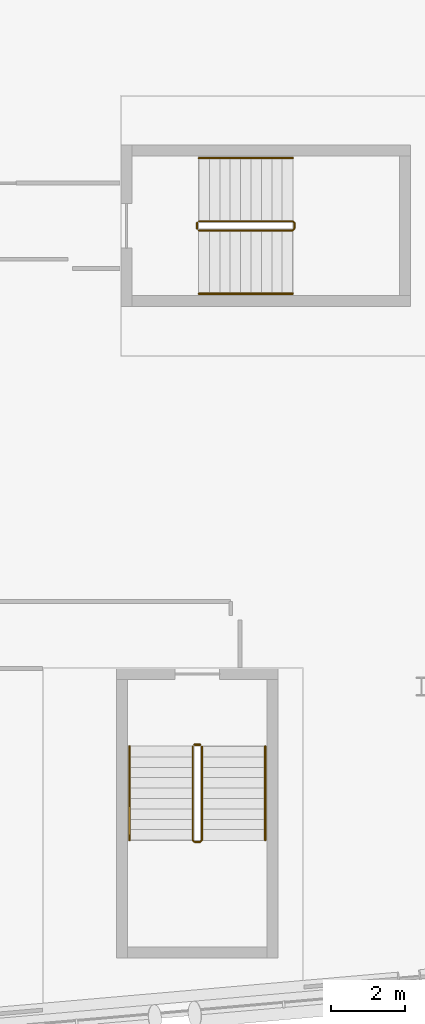
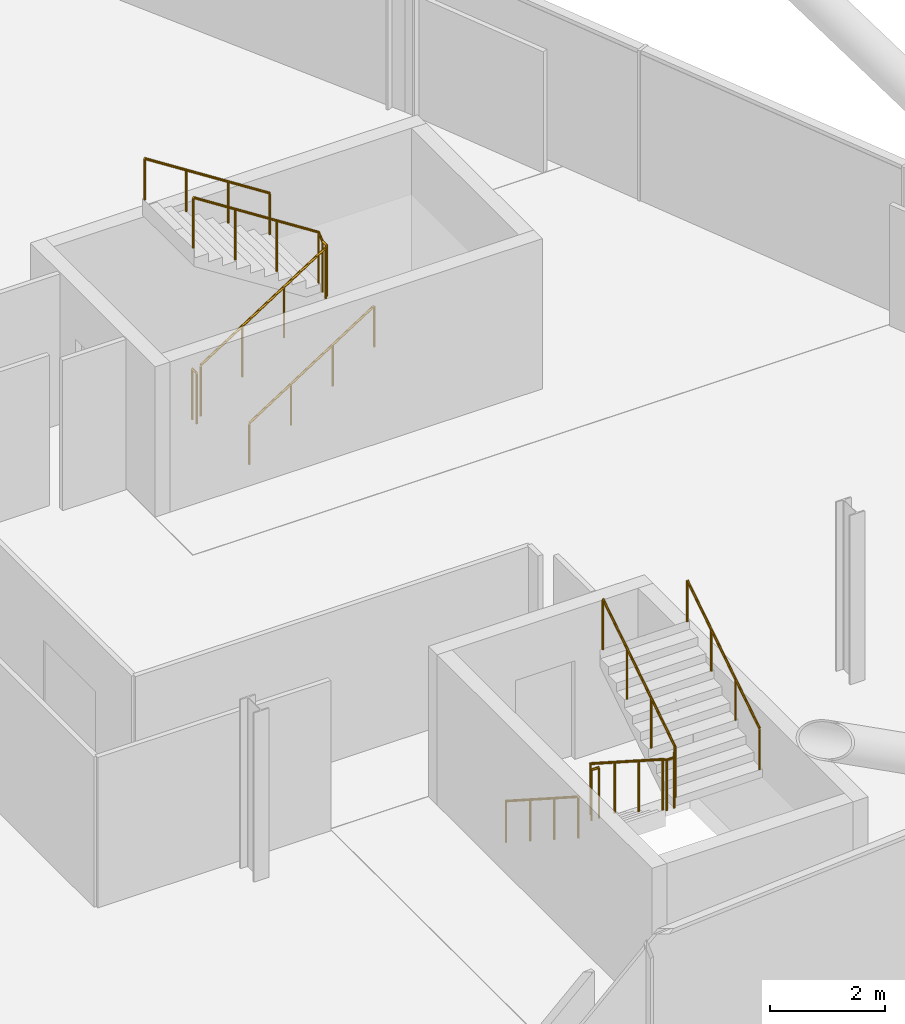
# One storey, part 25 of 26: 8 railings.
"""IFC4 building model written with IfcOpenShell, lengths in metres."""

from ifc_helpers import new_model, si_unit, direction, frame, origin, origin_2d, place, context, subcontext, project, spatial, circle, extrude, material, type_object, element, save


model = new_model("IFC4")

# Units and contexts
model_context = context("Model", 3, precision=1e-05, world=origin(), true_north=direction((0.0, 1.0)))
body_context = subcontext(model_context, "Body", "Model", "MODEL_VIEW")
ifc_project = project(units=[si_unit("LENGTHUNIT", "METRE"), si_unit("AREAUNIT", "SQUARE_METRE"), si_unit("VOLUMEUNIT", "CUBIC_METRE"), si_unit("PLANEANGLEUNIT", "RADIAN"), si_unit("MASSUNIT", "GRAM", prefix="KILO")], contexts=[model_context])

# Site, building, storey
site_placement = place(None, origin())
site = spatial("IfcSite", under=ifc_project, at=site_placement, CompositionType="ELEMENT")
building_placement = place(site_placement, origin())
building = spatial("IfcBuilding", under=site, at=building_placement, Name="Wharfspan Tower", CompositionType="ELEMENT")
storey_placement = place(building_placement, frame((0.0, 0.0, 177.100098)))
storey = spatial("IfcBuildingStorey", under=building, at=storey_placement, Name="L43", CompositionType="ELEMENT", Elevation=177.100098)

# Railings
ifc_material = material(Name="Steel S355J2", Category="steel")
railing_type_1 = type_object("IfcRailingType", Name="Stair guard 1100", PredefinedType="GUARDRAIL", material=ifc_material)
railing_1_placement = place(storey_placement, frame((65.836426, 9.883789, 0.179932)))
element("IfcRailing", 1, at=railing_1_placement, inside=storey, type_object=railing_type_1, Name="L43 ST5 stair guard 1", PredefinedType="GUARDRAIL", context=body_context, shape_type="SweptSolid", body=[
    extrude(circle(Radius=0.023926, at=origin_2d()), frame((0.0, 0.0, 1.076172), z_axis=(0.0, -0.8412, 0.540725), x_axis=(1.0, 0.0, 0.0)), (0.0, 0.0, 1.0), 2.99585),
    extrude(circle(Radius=0.023926, at=origin_2d()), frame((0.0, -2.52002, 2.695801), z_axis=(0.705376, -0.708834, 0.0), x_axis=(0.708834, 0.705376, 0.0)), (0.0, 0.0, 1.0), 0.070557),
    extrude(circle(Radius=0.023926, at=origin_2d()), frame((0.049805, -2.570068, 2.695801), z_axis=(1.0, 0.0, 0.0), x_axis=(0.0, 1.0, 0.0)), (0.0, 0.0, 1.0), 0.150146),
    extrude(circle(Radius=0.023926, at=origin_2d()), frame((0.199951, -2.570068, 2.695801), z_axis=(0.258544, 0.258544, 0.930758), x_axis=(-0.707107, 0.707107, 0.0)), (0.0, 0.0, 1.0), 0.193604),
    extrude(circle(Radius=0.023926, at=origin_2d()), frame((0.25, -2.52002, 2.875977), z_axis=(0.0, 0.8412, 0.540725), x_axis=(-1.0, 0.0, 0.0)), (0.0, 0.0, 1.0), 2.99585),
    extrude(circle(Radius=0.020996, at=origin_2d()), origin(), (0.0, 0.0, 1.0), 1.052002),
    extrude(circle(Radius=0.020996, at=origin_2d()), frame((0.0, -0.840088, 0.540039)), (0.0, 0.0, 1.0), 1.052002),
    extrude(circle(Radius=0.020996, at=origin_2d()), frame((0.0, -1.679932, 1.079834)), (0.0, 0.0, 1.0), 1.052002),
    extrude(circle(Radius=0.020996, at=origin_2d()), frame((0.0, -2.52002, 1.619873)), (0.0, 0.0, 1.0), 1.052002),
    extrude(circle(Radius=0.020996, at=origin_2d()), frame((0.049805, -2.570068, 1.619873)), (0.0, 0.0, 1.0), 1.052002),
    extrude(circle(Radius=0.020996, at=origin_2d()), frame((0.199951, -2.570068, 1.619873)), (0.0, 0.0, 1.0), 1.052002),
    extrude(circle(Radius=0.020996, at=origin_2d()), frame((0.25, -2.52002, 1.800049)), (0.0, 0.0, 1.0), 1.052002),
    extrude(circle(Radius=0.020996, at=origin_2d()), frame((0.25, -1.679932, 2.340088)), (0.0, 0.0, 1.0), 1.052002),
    extrude(circle(Radius=0.020996, at=origin_2d()), frame((0.25, -0.840088, 2.879883)), (0.0, 0.0, 1.0), 1.052002),
    extrude(circle(Radius=0.020996, at=origin_2d()), frame((0.25, 0.0, 3.419922)), (0.0, 0.0, 1.0), 1.052002),
])
railing_2_placement = place(storey_placement, frame((65.88623, 9.933594, 0.0)))
element("IfcRailing", 2, at=railing_2_placement, inside=storey, type_object=railing_type_1, Name="L43 ST5 stair guard 2", PredefinedType="GUARDRAIL", context=body_context, shape_type="SweptSolid", body=[
    extrude(circle(Radius=0.023926, at=origin_2d()), frame((0.0, 0.0, 1.076172), z_axis=(1.0, 0.0, 0.0), x_axis=(0.0, 1.0, 0.0)), (0.0, 0.0, 1.0), 0.150146),
    extrude(circle(Radius=0.020996, at=origin_2d()), origin(), (0.0, 0.0, 1.0), 1.052002),
    extrude(circle(Radius=0.020996, at=origin_2d()), frame((0.150146, 0.0, 0.0)), (0.0, 0.0, 1.0), 1.052002),
])
railing_3_placement = place(storey_placement, frame((66.004639, 23.774902, 0.179932)))
element("IfcRailing", 3, at=railing_3_placement, inside=storey, type_object=railing_type_1, Name="L43 ST6 stair guard 1", PredefinedType="GUARDRAIL", context=body_context, shape_type="SweptSolid", body=[
    extrude(circle(Radius=0.023926, at=origin_2d()), frame((0.0, 0.0, 1.076172), z_axis=(0.8412, 0.0, 0.540725), x_axis=(0.0, 1.0, 0.0)), (0.0, 0.0, 1.0), 2.99585),
    extrude(circle(Radius=0.023926, at=origin_2d()), frame((2.52002, 0.0, 2.695801), z_axis=(0.707107, 0.707107, 0.0), x_axis=(-0.707107, 0.707107, 0.0)), (0.0, 0.0, 1.0), 0.070801),
    extrude(circle(Radius=0.023926, at=origin_2d()), frame((2.570068, 0.050049, 2.695801), z_axis=(0.0, 1.0, 0.0), x_axis=(-1.0, 0.0, 0.0)), (0.0, 0.0, 1.0), 0.150146),
    extrude(circle(Radius=0.023926, at=origin_2d()), frame((2.570068, 0.200195, 2.695801), z_axis=(-0.258628, 0.257366, 0.931061), x_axis=(-0.705372, -0.708838, 2e-06)), (0.0, 0.0, 1.0), 0.193604),
    extrude(circle(Radius=0.023926, at=origin_2d()), frame((2.52002, 0.25, 2.875977), z_axis=(-0.8412, 0.0, 0.540725), x_axis=(0.0, -1.0, 0.0)), (0.0, 0.0, 1.0), 2.99585),
    extrude(circle(Radius=0.020996, at=origin_2d()), origin(), (0.0, 0.0, 1.0), 1.052002),
    extrude(circle(Radius=0.020996, at=origin_2d()), frame((0.840088, 0.0, 0.540039)), (0.0, 0.0, 1.0), 1.052002),
    extrude(circle(Radius=0.020996, at=origin_2d()), frame((1.679932, 0.0, 1.079834)), (0.0, 0.0, 1.0), 1.052002),
    extrude(circle(Radius=0.020996, at=origin_2d()), frame((2.52002, 0.0, 1.619873)), (0.0, 0.0, 1.0), 1.052002),
    extrude(circle(Radius=0.020996, at=origin_2d()), frame((2.570068, 0.050049, 1.619873)), (0.0, 0.0, 1.0), 1.052002),
    extrude(circle(Radius=0.020996, at=origin_2d()), frame((2.570068, 0.200195, 1.619873)), (0.0, 0.0, 1.0), 1.052002),
    extrude(circle(Radius=0.020996, at=origin_2d()), frame((2.52002, 0.25, 1.800049)), (0.0, 0.0, 1.0), 1.052002),
    extrude(circle(Radius=0.020996, at=origin_2d()), frame((1.679932, 0.25, 2.340088)), (0.0, 0.0, 1.0), 1.052002),
    extrude(circle(Radius=0.020996, at=origin_2d()), frame((0.840088, 0.25, 2.879883)), (0.0, 0.0, 1.0), 1.052002),
    extrude(circle(Radius=0.020996, at=origin_2d()), frame((0.0, 0.25, 3.419922)), (0.0, 0.0, 1.0), 1.052002),
])
railing_4_placement = place(storey_placement, frame((65.95459, 23.824951, 0.0)))
element("IfcRailing", 4, at=railing_4_placement, inside=storey, type_object=railing_type_1, Name="L43 ST6 stair guard 2", PredefinedType="GUARDRAIL", context=body_context, shape_type="SweptSolid", body=[
    extrude(circle(Radius=0.023926, at=origin_2d()), frame((0.0, 0.0, 1.076172), z_axis=(0.0, 1.0, 0.0), x_axis=(-1.0, 0.0, 0.0)), (0.0, 0.0, 1.0), 0.150146),
    extrude(circle(Radius=0.020996, at=origin_2d()), origin(), (0.0, 0.0, 1.0), 1.052002),
    extrude(circle(Radius=0.020996, at=origin_2d()), frame((0.0, 0.150146, 0.0)), (0.0, 0.0, 1.0), 1.052002),
])
railing_type_2 = type_object("IfcRailingType", Name="Stair handrail 900", PredefinedType="HANDRAIL", material=ifc_material)
railing_5_placement = place(storey_placement, frame((64.13623, 9.883789, 0.179932)))
element("IfcRailing", 5, at=railing_5_placement, inside=storey, type_object=railing_type_2, Name="L43 ST5 stair handrail 1", PredefinedType="HANDRAIL", context=body_context, shape_type="SweptSolid", body=[
    extrude(circle(Radius=0.023926, at=origin_2d()), frame((0.0, 0.0, 0.875977), z_axis=(0.0, -0.8412, 0.540725), x_axis=(1.0, 0.0, 0.0)), (0.0, 0.0, 1.0), 2.99585),
    extrude(circle(Radius=0.020996, at=origin_2d()), origin(), (0.0, 0.0, 1.0), 0.851807),
    extrude(circle(Radius=0.020996, at=origin_2d()), frame((0.0, -0.840088, 0.540039)), (0.0, 0.0, 1.0), 0.851807),
    extrude(circle(Radius=0.020996, at=origin_2d()), frame((0.0, -1.679932, 1.079834)), (0.0, 0.0, 1.0), 0.851807),
    extrude(circle(Radius=0.020996, at=origin_2d()), frame((0.0, -2.52002, 1.619873)), (0.0, 0.0, 1.0), 0.851807),
])
railing_6_placement = place(storey_placement, frame((67.786377, 7.36377, 1.97998)))
element("IfcRailing", 6, at=railing_6_placement, inside=storey, type_object=railing_type_2, Name="L43 ST5 stair handrail 2", PredefinedType="HANDRAIL", context=body_context, shape_type="SweptSolid", body=[
    extrude(circle(Radius=0.023926, at=origin_2d()), frame((0.0, 0.0, 0.875977), z_axis=(0.0, 0.8412, 0.540725), x_axis=(-1.0, 0.0, 0.0)), (0.0, 0.0, 1.0), 2.99585),
    extrude(circle(Radius=0.020996, at=origin_2d()), origin(), (0.0, 0.0, 1.0), 0.851807),
    extrude(circle(Radius=0.020996, at=origin_2d()), frame((0.0, 0.840088, 0.540039)), (0.0, 0.0, 1.0), 0.851807),
    extrude(circle(Radius=0.020996, at=origin_2d()), frame((0.0, 1.679932, 1.079834)), (0.0, 0.0, 1.0), 0.851807),
    extrude(circle(Radius=0.020996, at=origin_2d()), frame((0.0, 2.52002, 1.619873)), (0.0, 0.0, 1.0), 0.851807),
])
railing_7_placement = place(storey_placement, frame((66.004639, 22.074951, 0.179932)))
element("IfcRailing", 7, at=railing_7_placement, inside=storey, type_object=railing_type_2, Name="L43 ST6 stair handrail 1", PredefinedType="HANDRAIL", context=body_context, shape_type="SweptSolid", body=[
    extrude(circle(Radius=0.023926, at=origin_2d()), frame((0.0, 0.0, 0.875977), z_axis=(0.8412, 0.0, 0.540725), x_axis=(0.0, 1.0, 0.0)), (0.0, 0.0, 1.0), 2.99585),
    extrude(circle(Radius=0.020996, at=origin_2d()), origin(), (0.0, 0.0, 1.0), 0.851807),
    extrude(circle(Radius=0.020996, at=origin_2d()), frame((0.840088, 0.0, 0.540039)), (0.0, 0.0, 1.0), 0.851807),
    extrude(circle(Radius=0.020996, at=origin_2d()), frame((1.679932, 0.0, 1.079834)), (0.0, 0.0, 1.0), 0.851807),
    extrude(circle(Radius=0.020996, at=origin_2d()), frame((2.52002, 0.0, 1.619873)), (0.0, 0.0, 1.0), 0.851807),
])
railing_8_placement = place(storey_placement, frame((68.524658, 25.725098, 1.97998)))
element("IfcRailing", 8, at=railing_8_placement, inside=storey, type_object=railing_type_2, Name="L43 ST6 stair handrail 2", PredefinedType="HANDRAIL", context=body_context, shape_type="SweptSolid", body=[
    extrude(circle(Radius=0.023926, at=origin_2d()), frame((0.0, 0.0, 0.875977), z_axis=(-0.8412, 0.0, 0.540725), x_axis=(0.0, -1.0, 0.0)), (0.0, 0.0, 1.0), 2.99585),
    extrude(circle(Radius=0.020996, at=origin_2d()), origin(), (0.0, 0.0, 1.0), 0.851807),
    extrude(circle(Radius=0.020996, at=origin_2d()), frame((-0.840088, 0.0, 0.540039)), (0.0, 0.0, 1.0), 0.851807),
    extrude(circle(Radius=0.020996, at=origin_2d()), frame((-1.679932, 0.0, 1.079834)), (0.0, 0.0, 1.0), 0.851807),
    extrude(circle(Radius=0.020996, at=origin_2d()), frame((-2.52002, 0.0, 1.619873)), (0.0, 0.0, 1.0), 0.851807),
])

save(model, "model.ifc")
